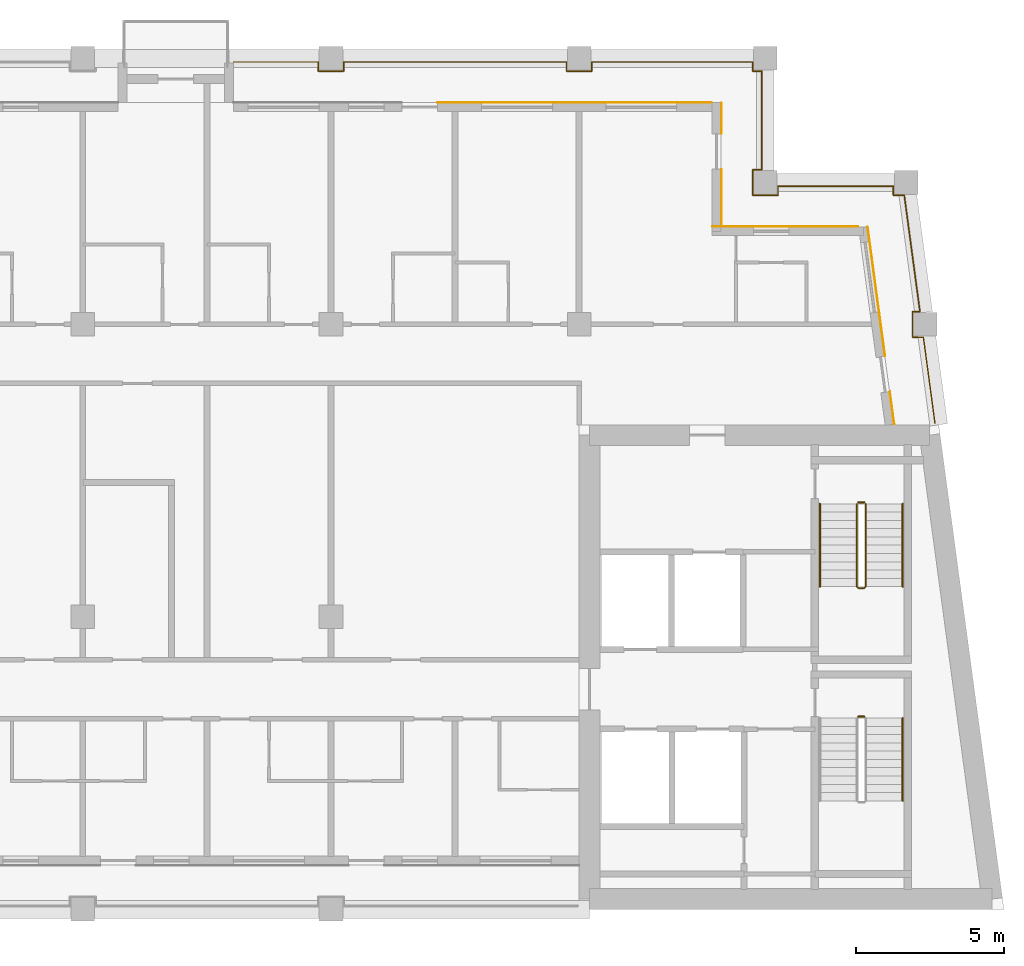
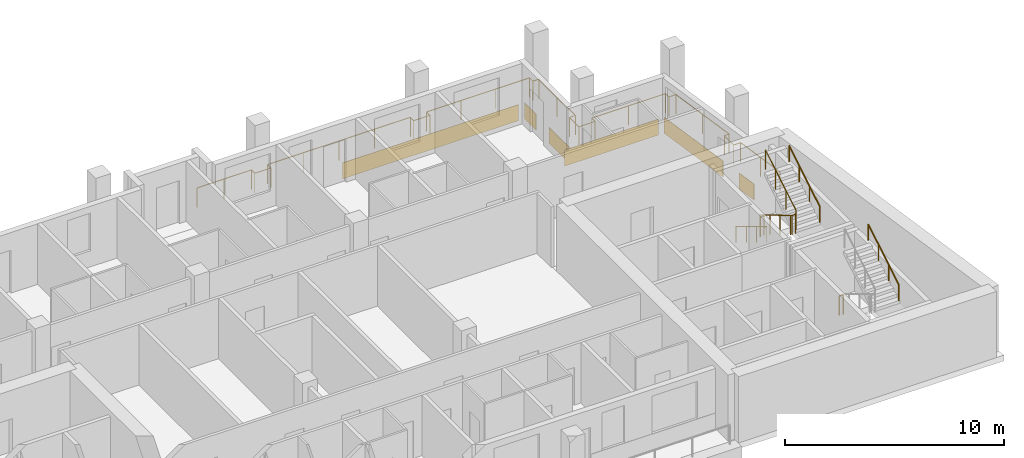
# One storey, part 9 of 9: 7 railings, 6 coverings.
"""IFC4 building model written with IfcOpenShell, lengths in metres."""

from ifc_helpers import new_model, si_unit, direction, frame, origin, origin_2d, place, context, subcontext, project, spatial, rectangle, circle, extrude, material, layer, layer_set, type_object, element, save


model = new_model("IFC4")

# Units and contexts
model_context = context("Model", 3, precision=1e-05, world=origin(), true_north=direction((0.0, 1.0)))
body_context = subcontext(model_context, "Body", "Model", "MODEL_VIEW")
ifc_project = project(units=[si_unit("LENGTHUNIT", "METRE"), si_unit("AREAUNIT", "SQUARE_METRE"), si_unit("VOLUMEUNIT", "CUBIC_METRE"), si_unit("PLANEANGLEUNIT", "RADIAN"), si_unit("MASSUNIT", "GRAM", prefix="KILO")], contexts=[model_context])

# Site, building, storey
site_placement = place(None, origin())
site = spatial("IfcSite", under=ifc_project, at=site_placement, CompositionType="ELEMENT")
building_placement = place(site_placement, origin())
building = spatial("IfcBuilding", under=site, at=building_placement, Name="Candeia Pilgrim Tower and Theatre", CompositionType="ELEMENT")
storey_placement = place(building_placement, frame((0.0, 0.0, 296.0)))
storey = spatial("IfcBuildingStorey", under=building, at=storey_placement, Name="L72", CompositionType="ELEMENT", Elevation=296.0)

# Railing
ifc_material_1 = material(Name="Stainless steel balustrade", Category="steel")
railing_type_1 = type_object("IfcRailingType", Name="G1 loggia guard 1100", PredefinedType="GUARDRAIL", material=ifc_material_1)
railing_1_placement = place(storey_placement, frame((114.300048828125, 144.679931640625, 0.0)))
element("IfcRailing", 1, at=railing_1_placement, inside=storey, type_object=railing_type_1, Name="Guard L72.2", PredefinedType="GUARDRAIL", context=body_context, shape_type="SweptSolid", body=[
    extrude(circle(Radius=0.02392578125, at=origin_2d()), frame((0.0, 0.0, 1.076171875), z_axis=(1.0, 0.0, 0.0), x_axis=(0.0, 1.0, 0.0)), (0.0, 0.0, 1.0), 2.869873046875),
    extrude(circle(Radius=0.02392578125, at=origin_2d()), frame((2.869873046875, 0.0, 1.076171875), z_axis=(0.0, -1.0, 0.0), x_axis=(1.0, 0.0, 0.0)), (0.0, 0.0, 1.0), 0.309814453125),
    extrude(circle(Radius=0.02392578125, at=origin_2d()), frame((2.869873046875, -0.309814453125, 1.076171875), z_axis=(1.0, 0.0, 0.0), x_axis=(0.0, 1.0, 0.0)), (0.0, 0.0, 1.0), 0.860107421875),
    extrude(circle(Radius=0.02392578125, at=origin_2d()), frame((3.72998046875, -0.309814453125, 1.076171875), z_axis=(0.0, 1.0, 0.0), x_axis=(-1.0, 0.0, 0.0)), (0.0, 0.0, 1.0), 0.309814453125),
    extrude(circle(Radius=0.02392578125, at=origin_2d()), frame((3.72998046875, 0.0, 1.076171875), z_axis=(1.0, 0.0, 0.0), x_axis=(0.0, 1.0, 0.0)), (0.0, 0.0, 1.0), 7.5400390625),
    extrude(circle(Radius=0.02392578125, at=origin_2d()), frame((11.27001953125, 0.0, 1.076171875), z_axis=(0.0, -1.0, 0.0), x_axis=(1.0, 0.0, 0.0)), (0.0, 0.0, 1.0), 0.309814453125),
    extrude(circle(Radius=0.02392578125, at=origin_2d()), frame((11.27001953125, -0.309814453125, 1.076171875), z_axis=(1.0, 0.0, 0.0), x_axis=(0.0, 1.0, 0.0)), (0.0, 0.0, 1.0), 0.85986328125),
    extrude(circle(Radius=0.02392578125, at=origin_2d()), frame((12.1298828125, -0.309814453125, 1.076171875), z_axis=(0.0, 1.0, 0.0), x_axis=(-1.0, 0.0, 0.0)), (0.0, 0.0, 1.0), 0.309814453125),
    extrude(circle(Radius=0.02392578125, at=origin_2d()), frame((12.1298828125, 0.0, 1.076171875), z_axis=(1.0, 0.0, 0.0), x_axis=(0.0, 1.0, 0.0)), (0.0, 0.0, 1.0), 5.440185546875),
    extrude(circle(Radius=0.02392578125, at=origin_2d()), frame((17.570068359375, 0.0, 1.076171875), z_axis=(0.0, -1.0, 0.0), x_axis=(1.0, 0.0, 0.0)), (0.0, 0.0, 1.0), 0.309814453125),
    extrude(circle(Radius=0.02392578125, at=origin_2d()), frame((17.570068359375, -0.309814453125, 1.076171875), z_axis=(1.0, 0.0, 0.0), x_axis=(0.0, 1.0, 0.0)), (0.0, 0.0, 1.0), 0.309814453125),
    extrude(circle(Radius=0.02392578125, at=origin_2d()), frame((17.8798828125, -0.309814453125, 1.076171875), z_axis=(0.0, -1.0, 0.0), x_axis=(1.0, 0.0, 0.0)), (0.0, 0.0, 1.0), 3.340087890625),
    extrude(circle(Radius=0.02392578125, at=origin_2d()), frame((17.8798828125, -3.64990234375, 1.076171875), z_axis=(-1.0, 0.0, 0.0), x_axis=(0.0, -1.0, 0.0)), (0.0, 0.0, 1.0), 0.309814453125),
    extrude(circle(Radius=0.02392578125, at=origin_2d()), frame((17.570068359375, -3.64990234375, 1.076171875), z_axis=(0.0, -1.0, 0.0), x_axis=(1.0, 0.0, 0.0)), (0.0, 0.0, 1.0), 0.860107421875),
    extrude(circle(Radius=0.02392578125, at=origin_2d()), frame((17.570068359375, -4.510009765625, 1.076171875), z_axis=(1.0, 0.0, 0.0), x_axis=(0.0, 1.0, 0.0)), (0.0, 0.0, 1.0), 0.85986328125),
    extrude(circle(Radius=0.02392578125, at=origin_2d()), frame((18.429931640625, -4.510009765625, 1.076171875), z_axis=(0.0, 1.0, 0.0), x_axis=(-1.0, 0.0, 0.0)), (0.0, 0.0, 1.0), 0.31005859375),
    extrude(circle(Radius=0.02392578125, at=origin_2d()), frame((18.429931640625, -4.199951171875, 1.076171875), z_axis=(1.0, 0.0, 0.0), x_axis=(0.0, 1.0, 0.0)), (0.0, 0.0, 1.0), 3.905517578125),
    extrude(circle(Radius=0.02392578125, at=origin_2d()), frame((22.33544921875, -4.199951171875, 1.076171875), z_axis=(0.0, -1.0, 0.0), x_axis=(1.0, 0.0, 0.0)), (0.0, 0.0, 1.0), 0.31005859375),
    extrude(circle(Radius=0.02392578125, at=origin_2d()), frame((22.33544921875, -4.510009765625, 1.076171875), z_axis=(1.0, 0.0, 0.0), x_axis=(0.0, 1.0, 0.0)), (0.0, 0.0, 1.0), 0.36669921875),
    extrude(circle(Radius=0.02392578125, at=origin_2d()), frame((22.7021484375, -4.510009765625, 1.076171875), z_axis=(0.133386492616, -0.991064096609, 0.0), x_axis=(0.991064096609, 0.133386492616, 0.0)), (0.0, 0.0, 1.0), 3.9755859375),
    extrude(circle(Radius=0.02392578125, at=origin_2d()), frame((23.232421875, -8.449951171875, 1.076171875), z_axis=(-1.0, 0.0, 0.0), x_axis=(0.0, -1.0, 0.0)), (0.0, 0.0, 1.0), 0.2509765625),
    extrude(circle(Radius=0.02392578125, at=origin_2d()), frame((22.9814453125, -8.449951171875, 1.076171875), z_axis=(0.0, -1.0, 0.0), x_axis=(1.0, 0.0, 0.0)), (0.0, 0.0, 1.0), 0.85986328125),
    extrude(circle(Radius=0.02392578125, at=origin_2d()), frame((22.9814453125, -9.309814453125, 1.076171875), z_axis=(1.0, 0.0, 0.0), x_axis=(0.0, 1.0, 0.0)), (0.0, 0.0, 1.0), 0.366943359375),
    extrude(circle(Radius=0.02392578125, at=origin_2d()), frame((23.348388671875, -9.309814453125, 1.076171875), z_axis=(0.133401056725, -0.991062136329, 0.0), x_axis=(0.991062136329, 0.133401056725, 0.0)), (0.0, 0.0, 1.0), 2.946533203125),
    extrude(circle(Radius=0.02099609375, at=origin_2d()), origin(), (0.0, 0.0, 1.0), 1.052001953125),
    extrude(circle(Radius=0.02099609375, at=origin_2d()), frame((1.43505859375, 0.0, 0.0)), (0.0, 0.0, 1.0), 1.052001953125),
    extrude(circle(Radius=0.02099609375, at=origin_2d()), frame((2.869873046875, 0.0, 0.0)), (0.0, 0.0, 1.0), 1.052001953125),
    extrude(circle(Radius=0.02099609375, at=origin_2d()), frame((2.869873046875, -0.309814453125, 0.0)), (0.0, 0.0, 1.0), 1.052001953125),
    extrude(circle(Radius=0.02099609375, at=origin_2d()), frame((3.72998046875, -0.309814453125, 0.0)), (0.0, 0.0, 1.0), 1.052001953125),
    extrude(circle(Radius=0.02099609375, at=origin_2d()), frame((3.72998046875, 0.0, 0.0)), (0.0, 0.0, 1.0), 1.052001953125),
    extrude(circle(Radius=0.02099609375, at=origin_2d()), frame((5.614990234375, 0.0, 0.0)), (0.0, 0.0, 1.0), 1.052001953125),
    extrude(circle(Radius=0.02099609375, at=origin_2d()), frame((7.5, 0.0, 0.0)), (0.0, 0.0, 1.0), 1.052001953125),
    extrude(circle(Radius=0.02099609375, at=origin_2d()), frame((9.385009765625, 0.0, 0.0)), (0.0, 0.0, 1.0), 1.052001953125),
    extrude(circle(Radius=0.02099609375, at=origin_2d()), frame((11.27001953125, 0.0, 0.0)), (0.0, 0.0, 1.0), 1.052001953125),
    extrude(circle(Radius=0.02099609375, at=origin_2d()), frame((11.27001953125, -0.309814453125, 0.0)), (0.0, 0.0, 1.0), 1.052001953125),
    extrude(circle(Radius=0.02099609375, at=origin_2d()), frame((12.1298828125, -0.309814453125, 0.0)), (0.0, 0.0, 1.0), 1.052001953125),
    extrude(circle(Radius=0.02099609375, at=origin_2d()), frame((12.1298828125, 0.0, 0.0)), (0.0, 0.0, 1.0), 1.052001953125),
    extrude(circle(Radius=0.02099609375, at=origin_2d()), frame((13.943359375, 0.0, 0.0)), (0.0, 0.0, 1.0), 1.052001953125),
    extrude(circle(Radius=0.02099609375, at=origin_2d()), frame((15.756591796875, 0.0, 0.0)), (0.0, 0.0, 1.0), 1.052001953125),
    extrude(circle(Radius=0.02099609375, at=origin_2d()), frame((17.570068359375, 0.0, 0.0)), (0.0, 0.0, 1.0), 1.052001953125),
    extrude(circle(Radius=0.02099609375, at=origin_2d()), frame((17.570068359375, -0.309814453125, 0.0)), (0.0, 0.0, 1.0), 1.052001953125),
    extrude(circle(Radius=0.02099609375, at=origin_2d()), frame((17.8798828125, -0.309814453125, 0.0)), (0.0, 0.0, 1.0), 1.052001953125),
    extrude(circle(Radius=0.02099609375, at=origin_2d()), frame((17.8798828125, -1.97998046875, 0.0)), (0.0, 0.0, 1.0), 1.052001953125),
    extrude(circle(Radius=0.02099609375, at=origin_2d()), frame((17.8798828125, -3.64990234375, 0.0)), (0.0, 0.0, 1.0), 1.052001953125),
    extrude(circle(Radius=0.02099609375, at=origin_2d()), frame((17.570068359375, -3.64990234375, 0.0)), (0.0, 0.0, 1.0), 1.052001953125),
    extrude(circle(Radius=0.02099609375, at=origin_2d()), frame((17.570068359375, -4.510009765625, 0.0)), (0.0, 0.0, 1.0), 1.052001953125),
    extrude(circle(Radius=0.02099609375, at=origin_2d()), frame((18.429931640625, -4.510009765625, 0.0)), (0.0, 0.0, 1.0), 1.052001953125),
    extrude(circle(Radius=0.02099609375, at=origin_2d()), frame((18.429931640625, -4.199951171875, 0.0)), (0.0, 0.0, 1.0), 1.052001953125),
    extrude(circle(Radius=0.02099609375, at=origin_2d()), frame((20.3828125, -4.199951171875, 0.0)), (0.0, 0.0, 1.0), 1.052001953125),
    extrude(circle(Radius=0.02099609375, at=origin_2d()), frame((22.33544921875, -4.199951171875, 0.0)), (0.0, 0.0, 1.0), 1.052001953125),
    extrude(circle(Radius=0.02099609375, at=origin_2d()), frame((22.33544921875, -4.510009765625, 0.0)), (0.0, 0.0, 1.0), 1.052001953125),
    extrude(circle(Radius=0.02099609375, at=origin_2d()), frame((22.7021484375, -4.510009765625, 0.0)), (0.0, 0.0, 1.0), 1.052001953125),
    extrude(circle(Radius=0.02099609375, at=origin_2d()), frame((22.96728515625, -6.47998046875, 0.0)), (0.0, 0.0, 1.0), 1.052001953125),
    extrude(circle(Radius=0.02099609375, at=origin_2d()), frame((23.232421875, -8.449951171875, 0.0)), (0.0, 0.0, 1.0), 1.052001953125),
    extrude(circle(Radius=0.02099609375, at=origin_2d()), frame((22.9814453125, -8.449951171875, 0.0)), (0.0, 0.0, 1.0), 1.052001953125),
    extrude(circle(Radius=0.02099609375, at=origin_2d()), frame((22.9814453125, -9.309814453125, 0.0)), (0.0, 0.0, 1.0), 1.052001953125),
    extrude(circle(Radius=0.02099609375, at=origin_2d()), frame((23.348388671875, -9.309814453125, 0.0)), (0.0, 0.0, 1.0), 1.052001953125),
    extrude(circle(Radius=0.02099609375, at=origin_2d()), frame((23.544921875, -10.77001953125, 0.0)), (0.0, 0.0, 1.0), 1.052001953125),
    extrude(circle(Radius=0.02099609375, at=origin_2d()), frame((23.741455078125, -12.22998046875, 0.0)), (0.0, 0.0, 1.0), 1.052001953125),
])

# Coverings
ifc_material_2 = material(Name="Glazed ceramic tile bottle green")
ifc_layer = layer(ifc_material_2, 0.02001953125)
ifc_layer_set = layer_set([ifc_layer], Name="Glazed ceramic tile bottle green")
covering_type = type_object("IfcCoveringType", Name="Glazed ceramic tile bottle green", PredefinedType="CLADDING", material=ifc_layer_set)
covering_1_placement = place(storey_placement, frame((136.588623046875, 132.97412109375, 0.0), z_axis=(0.0, 0.0, 1.0), x_axis=(-0.133412012145, 0.991060661622, 0.0)))
element("IfcCovering", 2, at=covering_1_placement, inside=storey, type_object=covering_type, Name="Tile cladding bottle green L72", PredefinedType="CLADDING", context=body_context, shape_type="SweptSolid", body=[
    extrude(rectangle(XDim=1.115234375, YDim=0.02001953125, at=origin_2d()), origin(), (0.0, 0.0, 1.0), 0.89990234375),
])
covering_2_placement = place(storey_placement, frame((136.058837890625, 136.90869140625, 0.0), z_axis=(0.0, 0.0, 1.0), x_axis=(-0.133412012145, 0.991060661622, 0.0)))
element("IfcCovering", 3, at=covering_2_placement, inside=storey, type_object=covering_type, Name="Tile cladding bottle green L72", PredefinedType="CLADDING", context=body_context, shape_type="SweptSolid", body=[
    extrude(rectangle(XDim=4.4248046875, YDim=0.02001953125, at=origin_2d()), origin(), (0.0, 0.0, 1.0), 0.89990234375),
])
covering_3_placement = place(storey_placement, frame((132.976318359375, 139.110107421875, 0.0), z_axis=(0.0, 0.0, 1.0), x_axis=(-1.0, 0.0, 0.0)))
element("IfcCovering", 4, at=covering_3_placement, inside=storey, type_object=covering_type, Name="Tile cladding bottle green L72", PredefinedType="CLADDING", context=body_context, shape_type="SweptSolid", body=[
    extrude(rectangle(XDim=4.95263671875, YDim=0.02001953125, at=origin_2d()), origin(), (0.0, 0.0, 1.0), 0.89990234375),
])
covering_4_placement = place(storey_placement, frame((130.81005859375, 140.0849609375, 0.0), z_axis=(0.0, 0.0, 1.0), x_axis=(0.0, 1.0, 0.0)))
element("IfcCovering", 5, at=covering_4_placement, inside=storey, type_object=covering_type, Name="Tile cladding bottle green L72", PredefinedType="CLADDING", context=body_context, shape_type="SweptSolid", body=[
    extrude(rectangle(XDim=1.929931640625, YDim=0.02001953125, at=origin_2d()), origin(), (0.0, 0.0, 1.0), 0.89990234375),
])
covering_5_placement = place(storey_placement, frame((130.81005859375, 142.77490234375, 0.0), z_axis=(0.0, 0.0, 1.0), x_axis=(0.0, 1.0, 0.0)))
element("IfcCovering", 6, at=covering_5_placement, inside=storey, type_object=covering_type, Name="Tile cladding bottle green L72", PredefinedType="CLADDING", context=body_context, shape_type="SweptSolid", body=[
    extrude(rectangle(XDim=1.050048828125, YDim=0.02001953125, at=origin_2d()), origin(), (0.0, 0.0, 1.0), 0.89990234375),
])
covering_6_placement = place(storey_placement, frame((125.840087890625, 143.31005859375, 0.0), z_axis=(0.0, 0.0, 1.0), x_axis=(-1.0, 0.0, 0.0)))
element("IfcCovering", 7, at=covering_6_placement, inside=storey, type_object=covering_type, Name="Tile cladding bottle green L72", PredefinedType="CLADDING", context=body_context, shape_type="SweptSolid", body=[
    extrude(rectangle(XDim=9.280029296875, YDim=0.02001953125, at=origin_2d()), origin(), (0.0, 0.0, 1.0), 0.89990234375),
])

# Railings
railing_type_2 = type_object("IfcRailingType", Name="RL-GUARD-1100", PredefinedType="GUARDRAIL", material=ifc_material_1)
railing_2_placement = place(storey_placement, frame((135.447998046875, 122.52490234375, 0.0)))
element("IfcRailing", 8, at=railing_2_placement, inside=storey, type_object=railing_type_2, Name="L72 ST3 stair guard 2", PredefinedType="GUARDRAIL", context=body_context, shape_type="SweptSolid", body=[
    extrude(circle(Radius=0.02392578125, at=origin_2d()), frame((0.0, 0.0, 1.076171875), z_axis=(1.0, 0.0, 0.0), x_axis=(0.0, 1.0, 0.0)), (0.0, 0.0, 1.0), 0.199951171875),
    extrude(circle(Radius=0.02099609375, at=origin_2d()), origin(), (0.0, 0.0, 1.0), 1.052001953125),
    extrude(circle(Radius=0.02099609375, at=origin_2d()), frame((0.199951171875, 0.0, 0.0)), (0.0, 0.0, 1.0), 1.052001953125),
])
railing_3_placement = place(storey_placement, frame((135.39794921875, 129.72509765625, 0.168212890625)))
element("IfcRailing", 9, at=railing_3_placement, inside=storey, type_object=railing_type_2, Name="L72 ST4 stair guard 1", PredefinedType="GUARDRAIL", context=body_context, shape_type="SweptSolid", body=[
    extrude(circle(Radius=0.02392578125, at=origin_2d()), frame((0.0, 0.0, 1.076171875), z_axis=(0.0, -0.857242210791, 0.514913383045), x_axis=(1.0, 0.0, 0.0)), (0.0, 0.0, 1.0), 3.266357421875),
    extrude(circle(Radius=0.02392578125, at=origin_2d()), frame((0.0, -2.800048828125, 2.7578125), z_axis=(0.707106781187, -0.707106781187, 0.0), x_axis=(0.707106781187, 0.707106781187, 0.0)), (0.0, 0.0, 1.0), 0.07080078125),
    extrude(circle(Radius=0.02392578125, at=origin_2d()), frame((0.050048828125, -2.85009765625, 2.7578125), z_axis=(1.0, 0.0, 0.0), x_axis=(0.0, 1.0, 0.0)), (0.0, 0.0, 1.0), 0.199951171875),
    extrude(circle(Radius=0.02392578125, at=origin_2d()), frame((0.25, -2.85009765625, 2.7578125), z_axis=(0.274582412415, 0.274582412415, 0.921525364591), x_axis=(-0.707106781187, 0.707106781187, 0.0)), (0.0, 0.0, 1.0), 0.182373046875),
    extrude(circle(Radius=0.02392578125, at=origin_2d()), frame((0.300048828125, -2.800048828125, 2.92578125), z_axis=(0.0, 0.857242210791, 0.514913383045), x_axis=(-1.0, 0.0, 0.0)), (0.0, 0.0, 1.0), 3.266357421875),
    extrude(circle(Radius=0.02099609375, at=origin_2d()), origin(), (0.0, 0.0, 1.0), 1.052001953125),
    extrude(circle(Radius=0.02099609375, at=origin_2d()), frame((0.0, -0.933349609375, 0.560546875)), (0.0, 0.0, 1.0), 1.052001953125),
    extrude(circle(Radius=0.02099609375, at=origin_2d()), frame((0.0, -1.86669921875, 1.121337890625)), (0.0, 0.0, 1.0), 1.052001953125),
    extrude(circle(Radius=0.02099609375, at=origin_2d()), frame((0.0, -2.800048828125, 1.681884765625)), (0.0, 0.0, 1.0), 1.052001953125),
    extrude(circle(Radius=0.02099609375, at=origin_2d()), frame((0.050048828125, -2.85009765625, 1.681884765625)), (0.0, 0.0, 1.0), 1.052001953125),
    extrude(circle(Radius=0.02099609375, at=origin_2d()), frame((0.25, -2.85009765625, 1.681884765625)), (0.0, 0.0, 1.0), 1.052001953125),
    extrude(circle(Radius=0.02099609375, at=origin_2d()), frame((0.300048828125, -2.800048828125, 1.849853515625)), (0.0, 0.0, 1.0), 1.052001953125),
    extrude(circle(Radius=0.02099609375, at=origin_2d()), frame((0.300048828125, -1.86669921875, 2.410400390625)), (0.0, 0.0, 1.0), 1.052001953125),
    extrude(circle(Radius=0.02099609375, at=origin_2d()), frame((0.300048828125, -0.933349609375, 2.97119140625)), (0.0, 0.0, 1.0), 1.052001953125),
    extrude(circle(Radius=0.02099609375, at=origin_2d()), frame((0.300048828125, 0.0, 3.53173828125)), (0.0, 0.0, 1.0), 1.052001953125),
])
railing_4_placement = place(storey_placement, frame((135.447998046875, 129.77490234375, 0.0)))
element("IfcRailing", 10, at=railing_4_placement, inside=storey, type_object=railing_type_2, Name="L72 ST4 stair guard 2", PredefinedType="GUARDRAIL", context=body_context, shape_type="SweptSolid", body=[
    extrude(circle(Radius=0.02392578125, at=origin_2d()), frame((0.0, 0.0, 1.076171875), z_axis=(1.0, 0.0, 0.0), x_axis=(0.0, 1.0, 0.0)), (0.0, 0.0, 1.0), 0.199951171875),
    extrude(circle(Radius=0.02099609375, at=origin_2d()), origin(), (0.0, 0.0, 1.0), 1.052001953125),
    extrude(circle(Radius=0.02099609375, at=origin_2d()), frame((0.199951171875, 0.0, 0.0)), (0.0, 0.0, 1.0), 1.052001953125),
])
ifc_material_3 = material(Name="Stainless steel handrail", Category="steel")
railing_type_3 = type_object("IfcRailingType", Name="RL-HANDRAIL-900", PredefinedType="HANDRAIL", material=ifc_material_3)
railing_5_placement = place(storey_placement, frame((136.947998046875, 119.675048828125, 2.01806640625)))
element("IfcRailing", 11, at=railing_5_placement, inside=storey, type_object=railing_type_3, Name="L72 ST3 stair handrail 2", PredefinedType="HANDRAIL", context=body_context, shape_type="SweptSolid", body=[
    extrude(circle(Radius=0.02392578125, at=origin_2d()), frame((0.0, 0.0, 0.8759765625), z_axis=(0.0, 0.857242210791, 0.514913383045), x_axis=(-1.0, 0.0, 0.0)), (0.0, 0.0, 1.0), 3.266357421875),
    extrude(circle(Radius=0.02099609375, at=origin_2d()), origin(), (0.0, 0.0, 1.0), 0.851806640625),
    extrude(circle(Radius=0.02099609375, at=origin_2d()), frame((0.0, 0.933349609375, 0.560546875)), (0.0, 0.0, 1.0), 0.851806640625),
    extrude(circle(Radius=0.02099609375, at=origin_2d()), frame((0.0, 1.86669921875, 1.121337890625)), (0.0, 0.0, 1.0), 0.851806640625),
    extrude(circle(Radius=0.02099609375, at=origin_2d()), frame((0.0, 2.800048828125, 1.681884765625)), (0.0, 0.0, 1.0), 0.851806640625),
])
railing_6_placement = place(storey_placement, frame((134.14794921875, 129.72509765625, 0.168212890625)))
element("IfcRailing", 12, at=railing_6_placement, inside=storey, type_object=railing_type_3, Name="L72 ST4 stair handrail 1", PredefinedType="HANDRAIL", context=body_context, shape_type="SweptSolid", body=[
    extrude(circle(Radius=0.02392578125, at=origin_2d()), frame((0.0, 0.0, 0.8759765625), z_axis=(0.0, -0.857242210791, 0.514913383045), x_axis=(1.0, 0.0, 0.0)), (0.0, 0.0, 1.0), 3.266357421875),
    extrude(circle(Radius=0.02099609375, at=origin_2d()), origin(), (0.0, 0.0, 1.0), 0.851806640625),
    extrude(circle(Radius=0.02099609375, at=origin_2d()), frame((0.0, -0.933349609375, 0.560546875)), (0.0, 0.0, 1.0), 0.851806640625),
    extrude(circle(Radius=0.02099609375, at=origin_2d()), frame((0.0, -1.86669921875, 1.121337890625)), (0.0, 0.0, 1.0), 0.851806640625),
    extrude(circle(Radius=0.02099609375, at=origin_2d()), frame((0.0, -2.800048828125, 1.681884765625)), (0.0, 0.0, 1.0), 0.851806640625),
])
railing_7_placement = place(storey_placement, frame((136.947998046875, 126.925048828125, 2.01806640625)))
element("IfcRailing", 13, at=railing_7_placement, inside=storey, type_object=railing_type_3, Name="L72 ST4 stair handrail 2", PredefinedType="HANDRAIL", context=body_context, shape_type="SweptSolid", body=[
    extrude(circle(Radius=0.02392578125, at=origin_2d()), frame((0.0, 0.0, 0.8759765625), z_axis=(0.0, 0.857242210791, 0.514913383045), x_axis=(-1.0, 0.0, 0.0)), (0.0, 0.0, 1.0), 3.266357421875),
    extrude(circle(Radius=0.02099609375, at=origin_2d()), origin(), (0.0, 0.0, 1.0), 0.851806640625),
    extrude(circle(Radius=0.02099609375, at=origin_2d()), frame((0.0, 0.933349609375, 0.560546875)), (0.0, 0.0, 1.0), 0.851806640625),
    extrude(circle(Radius=0.02099609375, at=origin_2d()), frame((0.0, 1.86669921875, 1.121337890625)), (0.0, 0.0, 1.0), 0.851806640625),
    extrude(circle(Radius=0.02099609375, at=origin_2d()), frame((0.0, 2.800048828125, 1.681884765625)), (0.0, 0.0, 1.0), 0.851806640625),
])

save(model, "model.ifc")
